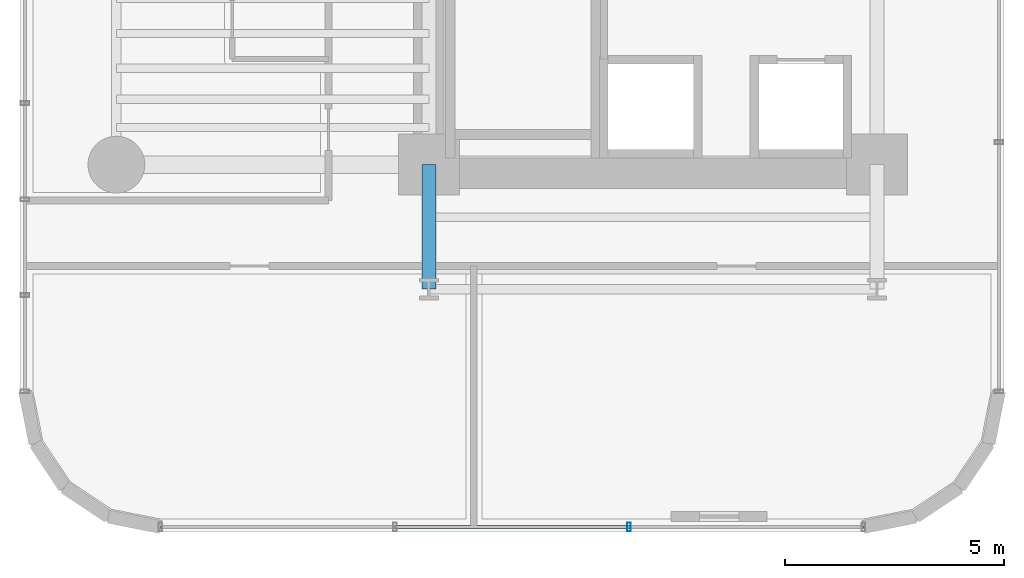
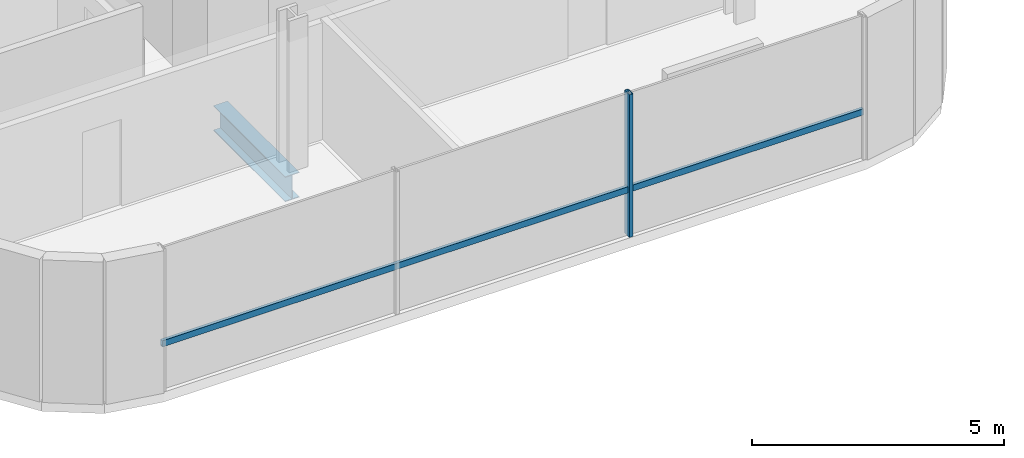
# One storey, part 3 of 39: 2 members, 1 beam, 1 element without a shape of its own.
"""IFC4 building model written with IfcOpenShell, lengths in metres."""

from ifc_helpers import new_model, si_unit, direction, frame, origin, origin_2d, place, context, subcontext, project, spatial, hollow_rectangle, i_section, extrude, source, transform, mapped, material, material_profile, profile_set, type_object, element, aggregate, save


model = new_model("IFC4")

# Units and contexts
model_context = context("Model", 3, precision=1e-05, world=origin(), true_north=direction((0.0, 1.0)))
body_context = subcontext(model_context, "Body", "Model", "MODEL_VIEW")
ifc_project = project(units=[si_unit("LENGTHUNIT", "METRE"), si_unit("AREAUNIT", "SQUARE_METRE"), si_unit("VOLUMEUNIT", "CUBIC_METRE"), si_unit("PLANEANGLEUNIT", "RADIAN"), si_unit("MASSUNIT", "GRAM", prefix="KILO")], contexts=[model_context])

# Site, building, storey
site_placement = place(None, origin())
site = spatial("IfcSite", under=ifc_project, at=site_placement, CompositionType="ELEMENT")
building_placement = place(site_placement, origin())
building = spatial("IfcBuilding", under=site, at=building_placement, Name="Valdorenza Pilgrim Sanctuary Tower", CompositionType="ELEMENT")
storey_placement = place(building_placement, frame((0.0, 0.0, 77.800048828125)))
storey = spatial("IfcBuildingStorey", under=building, at=storey_placement, Name="L19", CompositionType="ELEMENT", Elevation=77.800048828125)

# Beam
ifc_material_1 = material(Name="Steel ASTM A992 Grade 50", Category="steel")
ifc_material_profile_1 = material_profile(ifc_material_1, i_section(OverallWidth=0.323974609375, OverallDepth=0.611083984375, WebThickness=0.0126953125, FlangeThickness=0.01904296875, at=origin_2d()), Name="W24X104")
ifc_profile_set_1 = profile_set([ifc_material_profile_1], Name="Steel ASTM A992 Grade 50")
beam_type = type_object("IfcBeamType", Name="STR-BM-GRD-W24B", PredefinedType="BEAM", material=ifc_profile_set_1)
shared_shape_1 = source(origin(), body_context, "Body", "SweptSolid", [
    extrude(i_section(OverallWidth=0.323974609375, OverallDepth=0.611083984375, WebThickness=0.0126953125, FlangeThickness=0.01904296875, at=origin_2d()), origin(), (0.0, 0.0, 1.0), 2.849853515625),
])
beam_placement = place(storey_placement, frame((-22.64990234375, -13.449951171875, -0.545654296875), z_axis=(0.0, 1.0, 0.0), x_axis=(-1.0, 0.0, 0.0)))
element("IfcBeam", 1, at=beam_placement, inside=storey, type_object=beam_type, Name="L19 Floor Girder WA-S-LW", PredefinedType="BEAM", context=body_context, shape_type="MappedRepresentation", body=[
    mapped(shared_shape_1, transform((0.0, 0.0, 0.0), x_axis=(1.0, 0.0, 0.0), y_axis=(0.0, 1.0, 0.0), z_axis=(0.0, 0.0, 1.0), scale=1.0)),
])

# Curtain wall, members
ifc_material_2 = material(Name="Curtain-wall IGU glazing", Category="glass")
curtain_wall_type = type_object("IfcCurtainWallType", Name="CW-SYS-02", PredefinedType="NOTDEFINED", material=ifc_material_2)
curtain_wall_placement = place(storey_placement, origin())
curtain_wall = element("IfcCurtainWall", 2, at=curtain_wall_placement, inside=storey, type_object=curtain_wall_type, Name="L19 Curtain Wall CW-L19-1-46", PredefinedType="NOTDEFINED")
ifc_material_3 = material(Name="Anodised aluminium AW-6060", Category="aluminium")
ifc_material_profile_2 = material_profile(ifc_material_3, hollow_rectangle(XDim=0.0849609375, YDim=0.199951171875, WallThickness=0.0048828125, at=origin_2d()), Name="ALU-M 200x85x5")
ifc_profile_set_2 = profile_set([ifc_material_profile_2], Name="Anodised aluminium AW-6060")
member_type_1 = type_object("IfcMemberType", Name="CW-MUL-02", PredefinedType="MULLION", material=ifc_profile_set_2)
shared_shape_2 = source(origin(), body_context, "Body", "SweptSolid", [
    extrude(hollow_rectangle(XDim=0.0849609375, YDim=0.199951171875, WallThickness=0.0048828125, at=origin_2d()), origin(), (0.0, 0.0, 1.0), 3.4599609375),
])
member_1_placement = place(storey_placement, frame((-18.0703125, -18.889892578125, 0.0), z_axis=(0.0, 0.0, 1.0), x_axis=(-1.0, 0.0, 0.0)))
member_1 = element("IfcMember", 3, at=member_1_placement, type_object=member_type_1, Name="CW-L19-1-46 Mullion 2", PredefinedType="MULLION", context=body_context, shape_type="MappedRepresentation", body=[
    mapped(shared_shape_2, transform((0.0, 0.0, 0.0), x_axis=(1.0, 0.0, 0.0), y_axis=(0.0, 1.0, 0.0), z_axis=(0.0, 0.0, 1.0), scale=1.0)),
])
ifc_material_profile_3 = material_profile(ifc_material_3, hollow_rectangle(XDim=0.074951171875, YDim=0.14990234375, WallThickness=0.00390625, at=origin_2d()), Name="ALU-T 150x75x4")
ifc_profile_set_3 = profile_set([ifc_material_profile_3], Name="Anodised aluminium AW-6060")
member_type_2 = type_object("IfcMemberType", Name="CW-TRN-02", PredefinedType="USERDEFINED", material=ifc_profile_set_3)
shared_shape_3 = source(origin(), body_context, "Body", "SweptSolid", [
    extrude(hollow_rectangle(XDim=0.074951171875, YDim=0.14990234375, WallThickness=0.00390625, at=origin_2d()), origin(), (0.0, 0.0, 1.0), 16.07861328125),
])
member_2_placement = place(storey_placement, frame((-12.710693359375, -18.889892578125, 1.119873046875), z_axis=(-1.0, 0.0, 0.0), x_axis=(0.0, -1.0, 0.0)))
member_2 = element("IfcMember", 4, at=member_2_placement, type_object=member_type_2, Name="CW-L19-1-46 Transom 1", ObjectType="TRANSOM", PredefinedType="USERDEFINED", context=body_context, shape_type="MappedRepresentation", body=[
    mapped(shared_shape_3, transform((0.0, 0.0, 0.0), x_axis=(1.0, 0.0, 0.0), y_axis=(0.0, 1.0, 0.0), z_axis=(0.0, 0.0, 1.0), scale=1.0)),
])
aggregate(curtain_wall, [member_1, member_2])

save(model, "model.ifc")
